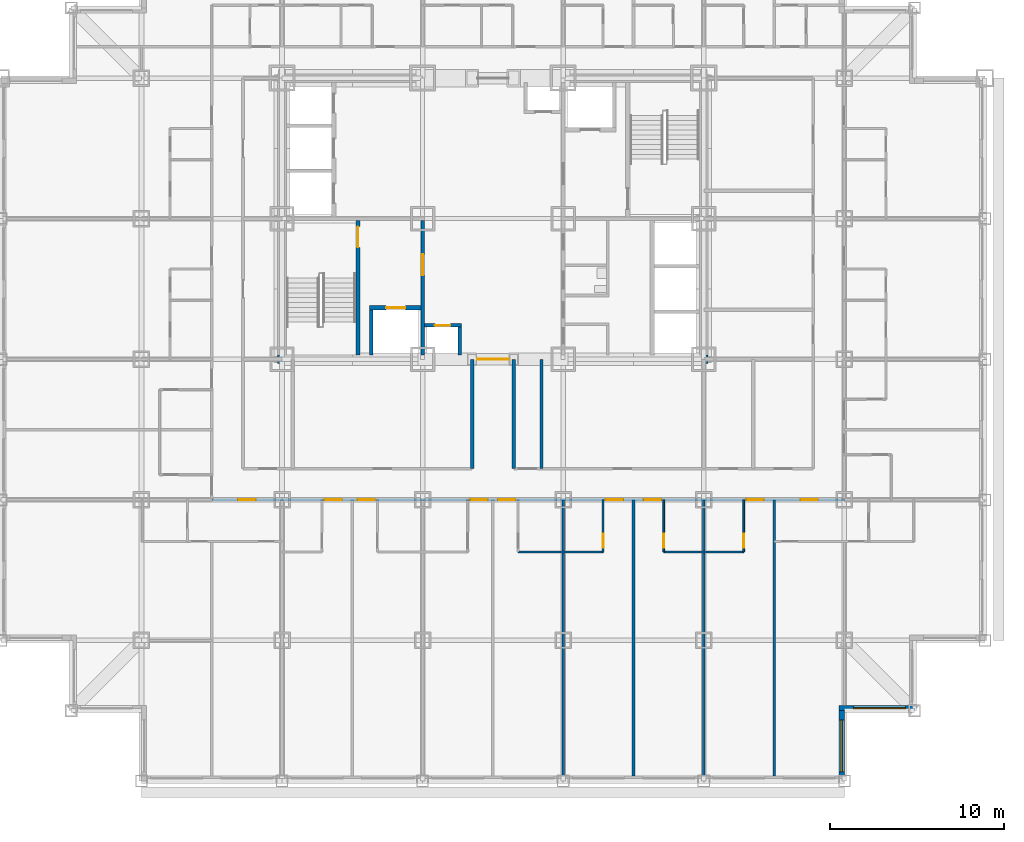
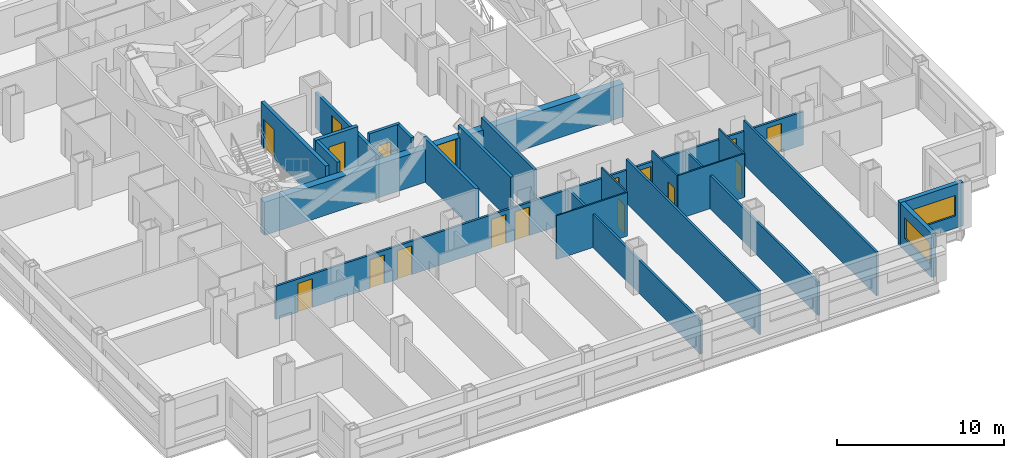
# One storey, part 5 of 12: 22 walls, 17 doors, 2 windows, 19 openings.
"""IFC4 building model written with IfcOpenShell, lengths in metres."""

import ifcopenshell
import ifcopenshell.guid

model = None  # the IFC model being written
_history = None  # IfcOwnerHistory: only IFC2X3 demands one
_inside = {}  # id of a spatial element -> (the spatial element, [elements in it])
_under = {}  # id of a project, library or spatial element -> (it, [spatial elements below it])
_declared = {}  # id of a project -> (the project, [libraries it declares])
_typed = {}  # id of a type object -> (the type object, [elements of that type])
_made_of = {}  # id of a material, layer set ... -> (it, [elements and type objects made of it])


def new_model(schema):
    """Start an empty IFC model of exactly this schema.

    Asked for "IFC4X3", IfcOpenShell would pick the latest addendum, in which some entities
    have other attributes; the version numbers below select the first issue.
    IFC2X3 requires an IfcOwnerHistory on every rooted entity: one is made here for all.
    """
    global model, _history
    if schema == "IFC4X3":
        model = ifcopenshell.file(schema_version=(4, 3, 0, 0))
    else:
        model = ifcopenshell.file(schema=schema)
    _inside.clear()
    _under.clear()
    _declared.clear()
    _typed.clear()
    _made_of.clear()
    _history = None
    if model.schema == "IFC2X3":
        org = make("IfcOrganization", Name="unknown")
        user = make(
            "IfcPersonAndOrganization",
            ThePerson=make("IfcPerson", FamilyName="unknown"),
            TheOrganization=org,
        )
        app = make(
            "IfcApplication",
            ApplicationDeveloper=org,
            Version="unknown",
            ApplicationFullName="unknown",
            ApplicationIdentifier="unknown",
        )
        _history = make(
            "IfcOwnerHistory",
            OwningUser=user,
            OwningApplication=app,
            ChangeAction="ADDED",
            CreationDate=0,
        )
    return model


def make(cls, **values):
    """One entity of the class cls with the attributes given. An attribute that is None is left unset."""
    return model.create_entity(
        cls, **{name: value for name, value in values.items() if value is not None}
    )


def rooted(cls, **values):
    """An entity with a GlobalId (a new one), such as an element, a storey or a relation."""
    return make(cls, GlobalId=ifcopenshell.guid.new(), OwnerHistory=_history, **values)


def si_unit(unit_type, name, prefix=None):
    """IfcSIUnit, for example si_unit("LENGTHUNIT", "METRE", prefix="MILLI")."""
    return make("IfcSIUnit", UnitType=unit_type, Prefix=prefix, Name=name)


def assignment(units):
    """IfcUnitAssignment: the units of a project."""
    return None if units is None else make("IfcUnitAssignment", Units=units)


def point(xyz):
    """IfcCartesianPoint."""
    return None if xyz is None else make("IfcCartesianPoint", Coordinates=xyz)


def direction(xyz):
    """IfcDirection."""
    return None if xyz is None else make("IfcDirection", DirectionRatios=xyz)


def frame(location, z_axis=None, x_axis=None):
    """IfcAxis2Placement3D, a coordinate frame: its origin and axes. An axis left out is left unset."""
    return make(
        "IfcAxis2Placement3D",
        Location=point(location),
        Axis=direction(z_axis),
        RefDirection=direction(x_axis),
    )


def frame_2d(location, x_axis=None):
    """IfcAxis2Placement2D, a coordinate frame in the plane: its origin and x axis."""
    return make(
        "IfcAxis2Placement2D", Location=point(location), RefDirection=direction(x_axis)
    )


def origin():
    """The frame at (0, 0, 0) with its axes left unset."""
    return frame((0.0, 0.0, 0.0))


def place(relative_to, where):
    """IfcLocalPlacement: puts the frame where relative to a parent placement (None: the world)."""
    return make(
        "IfcLocalPlacement", PlacementRelTo=relative_to, RelativePlacement=where
    )


def context(
    kind, dimensions, precision=None, world=None, true_north=None, identifier=None
):
    """IfcGeometricRepresentationContext, for example the 3D "Model" context."""
    return make(
        "IfcGeometricRepresentationContext",
        ContextIdentifier=identifier,
        ContextType=kind,
        CoordinateSpaceDimension=dimensions,
        Precision=precision,
        WorldCoordinateSystem=world,
        TrueNorth=true_north,
    )


def subcontext(parent, identifier, kind, view, scale=None):
    """IfcGeometricRepresentationSubContext, for example "Body" below "Model"."""
    return make(
        "IfcGeometricRepresentationSubContext",
        ContextIdentifier=identifier,
        ContextType=kind,
        ParentContext=parent,
        TargetScale=scale,
        TargetView=view,
    )


def project(units=None, contexts=None):
    """IfcProject with its units and contexts."""
    return rooted(
        "IfcProject",
        Name="project",
        RepresentationContexts=contexts,
        UnitsInContext=assignment(units),
    )


def spatial(cls, under=None, at=None, **own):
    """A site, building, storey or space (cls), placed at a placement, below another one or the project."""
    s = rooted(cls, ObjectPlacement=at, **own)
    if under is not None:
        _under.setdefault(under.id(), (under, []))[1].append(s)
    return s


def profile(cls, at=None, kind="AREA", **sizes):
    """A parametric profile (cls). Its sizes go by their IFC names, for example OverallWidth=200.0."""
    return make(cls, ProfileType=kind, Position=at, **sizes)


def rectangle(**sizes):
    """IfcRectangleProfileDef."""
    return profile("IfcRectangleProfileDef", **sizes)


def extrude(swept, where, along, depth):
    """IfcExtrudedAreaSolid: the profile swept, set in the frame where, extruded along a direction by depth."""
    return make(
        "IfcExtrudedAreaSolid",
        SweptArea=swept,
        Position=where,
        ExtrudedDirection=direction(along),
        Depth=depth,
    )


def shape(context_of_items, identifier, shape_type, items):
    """IfcShapeRepresentation: the items that make up one representation, for example the "Body"."""
    return make(
        "IfcShapeRepresentation",
        ContextOfItems=context_of_items,
        RepresentationIdentifier=identifier,
        RepresentationType=shape_type,
        Items=items,
    )


def material(Name=None, Category=None):
    """IfcMaterial."""
    return make("IfcMaterial", Name=Name, Category=Category)


def layer(
    of_material, thickness, ventilated=None, Name=None, Category=None, Priority=None
):
    """IfcMaterialLayer: one layer of a wall or slab, of a material (None: an air gap)."""
    return make(
        "IfcMaterialLayer",
        Material=of_material,
        LayerThickness=thickness,
        IsVentilated=ventilated,
        Name=Name,
        Category=Category,
        Priority=Priority,
    )


def layer_set(layers, Name=None):
    """IfcMaterialLayerSet."""
    return make("IfcMaterialLayerSet", MaterialLayers=layers, LayerSetName=Name)


def made_of(thing, what):
    """Note that an element or type object is made of a material, layer set ...; save() writes the relation."""
    if what is not None:
        _made_of.setdefault(what.id(), (what, []))[1].append(thing)
    return thing


def type_object(cls, material=None, **own):
    """A type object (cls), such as IfcWallType, which elements share."""
    return made_of(rooted(cls, **own), material)


def element(
    cls,
    number,
    at=None,
    inside=None,
    cuts=None,
    type_object=None,
    material=None,
    context=None,
    identifier="Body",
    shape_type=None,
    held_by="IfcProductDefinitionShape",
    body=None,
    shapes=None,
    **own,
):
    """One element of the class cls, such as IfcWall. Its Tag is "e" and its number.

    at: its placement. inside: the storey or other place that contains it. cuts: it is an
    opening in that element (IfcRelVoidsElement). A single representation is given by context,
    identifier, shape_type and body (its items); several are given by shapes. held_by: the class
    of the entity that holds the representations. save() writes the other relations.
    """
    e = rooted(cls, Tag="e%d" % number, ObjectPlacement=at, **own)
    if body is not None:
        shapes = [shape(context, identifier, shape_type, body)]
    if shapes is not None:
        e.Representation = make(held_by, Representations=shapes)
    if inside is not None:
        _inside.setdefault(inside.id(), (inside, []))[1].append(e)
    if cuts is not None:
        rooted(
            "IfcRelVoidsElement", RelatingBuildingElement=cuts, RelatedOpeningElement=e
        )
    if type_object is not None:
        _typed.setdefault(type_object.id(), (type_object, []))[1].append(e)
    return made_of(e, material)


def fill(opening, filler):
    """IfcRelFillsElement: the door or window that sits in an opening."""
    return rooted(
        "IfcRelFillsElement",
        RelatingOpeningElement=opening,
        RelatedBuildingElement=filler,
    )


def aggregate(whole, parts):
    """IfcRelAggregates: a whole, such as a stair, and the parts it consists of."""
    return rooted("IfcRelAggregates", RelatingObject=whole, RelatedObjects=parts)


def save(model, path):
    """Write the relations noted so far, then the file.

    IfcRelAggregates (storeys below a building ...), IfcRelContainedInSpatialStructure (elements
    in a storey), IfcRelDefinesByType, IfcRelAssociatesMaterial and IfcRelDeclares: one each for
    every whole, place, type object, material and project.
    """
    for whole, parts in _under.values():
        aggregate(whole, parts)
    for where, things in _inside.values():
        rooted(
            "IfcRelContainedInSpatialStructure",
            RelatedElements=things,
            RelatingStructure=where,
        )
    for kind, things in _typed.values():
        rooted("IfcRelDefinesByType", RelatedObjects=things, RelatingType=kind)
    for what, things in _made_of.values():
        rooted("IfcRelAssociatesMaterial", RelatedObjects=things, RelatingMaterial=what)
    for by, libraries in _declared.values():
        rooted("IfcRelDeclares", RelatingContext=by, RelatedDefinitions=libraries)
    model.write(path)


model = new_model("IFC4")

# Units and contexts
model_context = context("Model", 3, precision=1e-05, world=origin(), true_north=direction((0.0, 1.0)))
body_context = subcontext(model_context, "Body", "Model", "MODEL_VIEW")
ifc_project = project(units=[si_unit("LENGTHUNIT", "METRE"), si_unit("AREAUNIT", "SQUARE_METRE"), si_unit("VOLUMEUNIT", "CUBIC_METRE"), si_unit("PLANEANGLEUNIT", "RADIAN"), si_unit("MASSUNIT", "GRAM", prefix="KILO")], contexts=[model_context])

# Site, building, storey
site_placement = place(None, origin())
site = spatial("IfcSite", under=ifc_project, at=site_placement, CompositionType="ELEMENT")
building_placement = place(site_placement, origin())
building = spatial("IfcBuilding", under=site, at=building_placement, Name="Kopane Lantern Tower", CompositionType="ELEMENT")
storey_placement = place(building_placement, frame((0.0, 0.0, 80.60009765625)))
storey = spatial("IfcBuildingStorey", under=building, at=storey_placement, Name="L20", CompositionType="ELEMENT", Elevation=80.60009765625)

# Wall
ifc_material_1 = material(Name="Moisture-resistant board on steel studs", Category="steel")
ifc_layer_1 = layer(ifc_material_1, 0.10009765625)
ifc_layer_set_1 = layer_set([ifc_layer_1], Name="BATHROOM WALL 100")
wall_type_1 = type_object("IfcWallType", Name="BATHROOM WALL 100", PredefinedType="PARTITIONING", material=ifc_layer_set_1)
wall_1_placement = place(storey_placement, frame((29.800048828125, 13.199951171875, 0.0), z_axis=(0.0, 0.0, 1.0), x_axis=(1.0, 0.0, 0.0)))
element("IfcWall", 1, at=wall_1_placement, inside=storey, type_object=wall_type_1, Name="Bathroom Wall 100 L20", PredefinedType="PARTITIONING", context=body_context, shape_type="SweptSolid", body=[
    extrude(rectangle(XDim=4.89990234375, YDim=0.10009765625, at=frame_2d((2.449951171875, 0.0))), origin(), (0.0, 0.0, 1.0), 3.18994140625),
])

# Wall, opening, door
wall_2_placement = place(storey_placement, frame((34.699951171875, 16.199951171875, 0.0), z_axis=(0.0, 0.0, 1.0), x_axis=(0.0, -1.0, 0.0)))
wall_2 = element("IfcWall", 2, at=wall_2_placement, inside=storey, type_object=wall_type_1, Name="Bathroom Wall 100 L20", PredefinedType="PARTITIONING", context=body_context, shape_type="SweptSolid", body=[
    extrude(rectangle(XDim=3.0, YDim=0.10009765625, at=frame_2d((1.5, 0.0))), origin(), (0.0, 0.0, 1.0), 3.18994140625),
])
opening_1_placement = place(wall_2_placement, frame((1.949951171875, 0.0, 0.0)))
opening_1 = element("IfcOpeningElement", 3, at=opening_1_placement, cuts=wall_2, Name="Opening L20-021", PredefinedType="OPENING", context=body_context, shape_type="SweptSolid", body=[
    extrude(rectangle(XDim=0.800048828125, YDim=2.10009765625, at=frame_2d((0.39990234375, 1.050048828125))), frame((0.0, 0.06005859375, 0.0), z_axis=(0.0, -1.0, 0.0), x_axis=(1.0, 0.0, 0.0)), (0.0, 0.0, 1.0), 0.1201171875),
])
ifc_material_2 = material(Name="Timber door set", Category="wood")
door_type_1 = type_object("IfcDoorType", Name="DOOR D2 800x2100", OperationType="SINGLE_SWING_LEFT", PredefinedType="DOOR", material=ifc_material_2)
door_1_placement = place(opening_1_placement, origin())
door_1 = element("IfcDoor", 4, at=door_1_placement, inside=storey, type_object=door_type_1, Name="Door L20-021", OperationType="SINGLE_SWING_LEFT", OverallHeight=2.10009765625, OverallWidth=0.800048828125, PredefinedType="DOOR", context=body_context, shape_type="SweptSolid", body=[
    extrude(rectangle(XDim=0.800048828125, YDim=2.10009765625, at=frame_2d((0.39990234375, 1.050048828125))), frame((0.0, 0.02490234375, 0.0), z_axis=(0.0, -1.0, 0.0), x_axis=(1.0, 0.0, 0.0)), (0.0, 0.0, 1.0), 0.050048828125),
])
fill(opening_1, door_1)

# Wall
wall_3_placement = place(storey_placement, frame((38.199951171875, 13.199951171875, 0.0), z_axis=(0.0, 0.0, 1.0), x_axis=(1.0, 0.0, 0.0)))
element("IfcWall", 5, at=wall_3_placement, inside=storey, type_object=wall_type_1, Name="Bathroom Wall 100 L20", PredefinedType="PARTITIONING", context=body_context, shape_type="SweptSolid", body=[
    extrude(rectangle(XDim=4.60009765625, YDim=0.10009765625, at=frame_2d((2.300048828125, 0.0))), origin(), (0.0, 0.0, 1.0), 3.18994140625),
])

# Wall, opening, door
wall_4_placement = place(storey_placement, frame((38.199951171875, 16.199951171875, 0.0), z_axis=(0.0, 0.0, 1.0), x_axis=(0.0, -1.0, 0.0)))
wall_4 = element("IfcWall", 6, at=wall_4_placement, inside=storey, type_object=wall_type_1, Name="Bathroom Wall 100 L20", PredefinedType="PARTITIONING", context=body_context, shape_type="SweptSolid", body=[
    extrude(rectangle(XDim=3.0, YDim=0.10009765625, at=frame_2d((1.5, 0.0))), origin(), (0.0, 0.0, 1.0), 3.18994140625),
])
opening_2_placement = place(wall_4_placement, frame((1.949951171875, 0.0, 0.0)))
opening_2 = element("IfcOpeningElement", 7, at=opening_2_placement, cuts=wall_4, Name="Opening L20-023", PredefinedType="OPENING", context=body_context, shape_type="SweptSolid", body=[
    extrude(rectangle(XDim=0.800048828125, YDim=2.10009765625, at=frame_2d((0.39990234375, 1.050048828125))), frame((0.0, 0.06005859375, 0.0), z_axis=(0.0, -1.0, 0.0), x_axis=(1.0, 0.0, 0.0)), (0.0, 0.0, 1.0), 0.1201171875),
])
door_2_placement = place(opening_2_placement, origin())
door_2 = element("IfcDoor", 8, at=door_2_placement, inside=storey, type_object=door_type_1, Name="Door L20-023", OperationType="SINGLE_SWING_RIGHT", OverallHeight=2.10009765625, OverallWidth=0.800048828125, PredefinedType="DOOR", context=body_context, shape_type="SweptSolid", body=[
    extrude(rectangle(XDim=0.800048828125, YDim=2.10009765625, at=frame_2d((0.39990234375, 1.050048828125))), frame((0.0, 0.02490234375, 0.0), z_axis=(0.0, -1.0, 0.0), x_axis=(1.0, 0.0, 0.0)), (0.0, 0.0, 1.0), 0.050048828125),
])
fill(opening_2, door_2)

wall_5_placement = place(storey_placement, frame((42.800048828125, 16.199951171875, 0.0), z_axis=(0.0, 0.0, 1.0), x_axis=(0.0, -1.0, 0.0)))
wall_5 = element("IfcWall", 9, at=wall_5_placement, inside=storey, type_object=wall_type_1, Name="Bathroom Wall 100 L20", PredefinedType="PARTITIONING", context=body_context, shape_type="SweptSolid", body=[
    extrude(rectangle(XDim=3.0, YDim=0.10009765625, at=frame_2d((1.5, 0.0))), origin(), (0.0, 0.0, 1.0), 3.18994140625),
])
opening_3_placement = place(wall_5_placement, frame((1.949951171875, 0.0, 0.0)))
opening_3 = element("IfcOpeningElement", 10, at=opening_3_placement, cuts=wall_5, Name="Opening L20-025", PredefinedType="OPENING", context=body_context, shape_type="SweptSolid", body=[
    extrude(rectangle(XDim=0.800048828125, YDim=2.10009765625, at=frame_2d((0.39990234375, 1.050048828125))), frame((0.0, 0.06005859375, 0.0), z_axis=(0.0, -1.0, 0.0), x_axis=(1.0, 0.0, 0.0)), (0.0, 0.0, 1.0), 0.1201171875),
])
door_3_placement = place(opening_3_placement, origin())
door_3 = element("IfcDoor", 11, at=door_3_placement, inside=storey, type_object=door_type_1, Name="Door L20-025", OperationType="SINGLE_SWING_LEFT", OverallHeight=2.10009765625, OverallWidth=0.800048828125, PredefinedType="DOOR", context=body_context, shape_type="SweptSolid", body=[
    extrude(rectangle(XDim=0.800048828125, YDim=2.10009765625, at=frame_2d((0.39990234375, 1.050048828125))), frame((0.0, 0.02490234375, 0.0), z_axis=(0.0, -1.0, 0.0), x_axis=(1.0, 0.0, 0.0)), (0.0, 0.0, 1.0), 0.050048828125),
])
fill(opening_3, door_3)

ifc_material_3 = material(Name="Gypsum shaft wall EI 120", Category="gypsum")
ifc_layer_2 = layer(ifc_material_3, 0.5)
ifc_layer_set_2 = layer_set([ifc_layer_2], Name="CORE PERIMETER WALL 500 EI 120")
wall_type_2 = type_object("IfcWallType", Name="CORE PERIMETER WALL 500 EI 120", PredefinedType="SOLIDWALL", material=ifc_layer_set_2)
wall_6_placement = place(storey_placement, frame((15.949951171875, 24.300048828125, 0.0), z_axis=(0.0, 0.0, 1.0), x_axis=(1.0, 0.0, 0.0)))
wall_6 = element("IfcWall", 12, at=wall_6_placement, inside=storey, type_object=wall_type_2, Name="Core shaft wall L20 PS", PredefinedType="SOLIDWALL", context=body_context, shape_type="SweptSolid", body=[
    extrude(rectangle(XDim=24.800048828125, YDim=0.5, at=frame_2d((12.39990234375, 0.0))), origin(), (0.0, 0.0, 1.0), 2.427734375),
])
opening_4_placement = place(wall_6_placement, frame((11.5, 0.0, 0.0)))
opening_4 = element("IfcOpeningElement", 13, at=opening_4_placement, cuts=wall_6, Name="Opening 20.CE-S", PredefinedType="OPENING", context=body_context, shape_type="SweptSolid", body=[
    extrude(rectangle(XDim=1.800048828125, YDim=2.39990234375, at=frame_2d((0.89990234375, 1.199951171875))), frame((0.0, 0.260009765625, 0.0), z_axis=(0.0, -1.0, 0.0), x_axis=(1.0, 0.0, 0.0)), (0.0, 0.0, 1.0), 0.52001953125),
])
ifc_material_4 = material(Name="Steel door set", Category="steel")
door_type_2 = type_object("IfcDoorType", Name="CORE ENTRY DOOR 1800x2400 FD60S", OperationType="DOUBLE_DOOR_SINGLE_SWING", PredefinedType="DOOR", material=ifc_material_4)
door_4_placement = place(opening_4_placement, origin())
door_4 = element("IfcDoor", 14, at=door_4_placement, inside=storey, type_object=door_type_2, Name="Core entry door L20 south", OperationType="DOUBLE_DOOR_SINGLE_SWING", OverallHeight=2.39990234375, OverallWidth=1.800048828125, PredefinedType="DOOR", context=body_context, shape_type="SweptSolid", body=[
    extrude(rectangle(XDim=1.800048828125, YDim=2.39990234375, at=frame_2d((0.89990234375, 1.199951171875))), frame((0.0, 0.02490234375, 0.0), z_axis=(0.0, -1.0, 0.0), x_axis=(1.0, 0.0, 0.0)), (0.0, 0.0, 1.0), 0.050048828125),
])
fill(opening_4, door_4)

ifc_material_5 = material(Name="Gypsum shaft wall EI 120", Category="gypsum")
ifc_layer_3 = layer(ifc_material_5, 0.25)
ifc_layer_set_3 = layer_set([ifc_layer_3], Name="CORE SHAFT WALL 250 EI 120")
wall_type_3 = type_object("IfcWallType", Name="CORE SHAFT WALL 250 EI 120", PredefinedType="SOLIDWALL", material=ifc_layer_set_3)
wall_7_placement = place(storey_placement, frame((20.574951171875, 24.550048828125, 0.0), z_axis=(0.0, 0.0, 1.0), x_axis=(0.0, 1.0, 0.0)))
wall_7 = element("IfcWall", 15, at=wall_7_placement, inside=storey, type_object=wall_type_3, Name="Core shaft wall L20 XST1", PredefinedType="SOLIDWALL", context=body_context, shape_type="SweptSolid", body=[
    extrude(rectangle(XDim=7.75, YDim=0.25, at=frame_2d((3.875, 0.0))), origin(), (0.0, 0.0, 1.0), 3.18994140625),
])
opening_5_placement = place(wall_7_placement, frame((6.199951171875, 0.0, 0.0)))
opening_5 = element("IfcOpeningElement", 16, at=opening_5_placement, cuts=wall_7, Name="Opening 20.SD1", PredefinedType="OPENING", context=body_context, shape_type="SweptSolid", body=[
    extrude(rectangle(XDim=1.199951171875, YDim=2.10009765625, at=frame_2d((0.60009765625, 1.050048828125))), frame((0.0, 0.135009765625, 0.0), z_axis=(0.0, -1.0, 0.0), x_axis=(1.0, 0.0, 0.0)), (0.0, 0.0, 1.0), 0.27001953125),
])
ifc_material_6 = material(Name="Steel door set", Category="steel")
door_type_3 = type_object("IfcDoorType", Name="STAIR DOOR 1200x2100 FD60S", OperationType="SINGLE_SWING_LEFT", PredefinedType="DOOR", material=ifc_material_6)
door_5_placement = place(opening_5_placement, origin())
door_5 = element("IfcDoor", 17, at=door_5_placement, inside=storey, type_object=door_type_3, Name="Stair door ST1 L20", OperationType="SINGLE_SWING_LEFT", OverallHeight=2.10009765625, OverallWidth=1.199951171875, PredefinedType="DOOR", context=body_context, shape_type="SweptSolid", body=[
    extrude(rectangle(XDim=1.199951171875, YDim=2.10009765625, at=frame_2d((0.60009765625, 1.050048828125))), frame((0.0, 0.02490234375, 0.0), z_axis=(0.0, -1.0, 0.0), x_axis=(1.0, 0.0, 0.0)), (0.0, 0.0, 1.0), 0.050048828125),
])
fill(opening_5, door_5)

wall_8_placement = place(storey_placement, frame((21.25, 27.27490234375, 0.0), z_axis=(0.0, 0.0, 1.0), x_axis=(1.0, 0.0, 0.0)))
wall_8 = element("IfcWall", 18, at=wall_8_placement, inside=storey, type_object=wall_type_3, Name="Core shaft wall L20 YLF1", PredefinedType="SOLIDWALL", context=body_context, shape_type="SweptSolid", body=[
    extrude(rectangle(XDim=2.949951171875, YDim=0.25, at=frame_2d((1.47509765625, 0.0))), origin(), (0.0, 0.0, 1.0), 3.18994140625),
])
opening_6_placement = place(wall_8_placement, frame((0.949951171875, 0.0, 0.0)))
opening_6 = element("IfcOpeningElement", 19, at=opening_6_placement, cuts=wall_8, Name="Opening 20.LD-LF1", PredefinedType="OPENING", context=body_context, shape_type="SweptSolid", body=[
    extrude(rectangle(XDim=1.10009765625, YDim=2.39990234375, at=frame_2d((0.550048828125, 1.199951171875))), frame((0.0, 0.135009765625, 0.0), z_axis=(0.0, -1.0, 0.0), x_axis=(1.0, 0.0, 0.0)), (0.0, 0.0, 1.0), 0.27001953125),
])
ifc_material_7 = material(Name="Steel door set", Category="steel")
door_type_4 = type_object("IfcDoorType", Name="LIFT LANDING DOOR 1100x2400 FD60", OperationType="DOUBLE_DOOR_SLIDING", PredefinedType="DOOR", material=ifc_material_7)
door_6_placement = place(opening_6_placement, origin())
door_6 = element("IfcDoor", 20, at=door_6_placement, inside=storey, type_object=door_type_4, Name="Landing door LF1 L20", OperationType="DOUBLE_DOOR_SLIDING", OverallHeight=2.39990234375, OverallWidth=1.10009765625, PredefinedType="DOOR", context=body_context, shape_type="SweptSolid", body=[
    extrude(rectangle(XDim=1.10009765625, YDim=2.39990234375, at=frame_2d((0.550048828125, 1.199951171875))), frame((0.0, 0.02490234375, 0.0), z_axis=(0.0, -1.0, 0.0), x_axis=(1.0, 0.0, 0.0)), (0.0, 0.0, 1.0), 0.050048828125),
])
fill(opening_6, door_6)

# Wall, openings, doors
ifc_material_8 = material(Name="Gypsum board on steel studs", Category="steel")
ifc_layer_4 = layer(ifc_material_8, 0.14990234375)
ifc_layer_set_4 = layer_set([ifc_layer_4], Name="CORRIDOR WALL 150 EI 60")
wall_type_4 = type_object("IfcWallType", Name="CORRIDOR WALL 150 EI 60", PredefinedType="PARTITIONING", material=ifc_layer_set_4)
wall_9_placement = place(storey_placement, frame((12.14990234375, 16.199951171875, 0.0), z_axis=(0.0, 0.0, 1.0), x_axis=(1.0, 0.0, 0.0)))
wall_9 = element("IfcWall", 21, at=wall_9_placement, inside=storey, type_object=wall_type_4, Name="Corridor Wall 150 Ei 60 L20", PredefinedType="PARTITIONING", context=body_context, shape_type="SweptSolid", body=[
    extrude(rectangle(XDim=36.4501953125, YDim=0.14990234375, at=frame_2d((18.22509765625, 0.0))), origin(), (0.0, 0.0, 1.0), 2.427734375),
])
opening_7_placement = place(wall_9_placement, frame((6.5, 0.0, 0.0)))
opening_7 = element("IfcOpeningElement", 22, at=opening_7_placement, cuts=wall_9, Name="Opening L20-014", PredefinedType="OPENING", context=body_context, shape_type="SweptSolid", body=[
    extrude(rectangle(XDim=1.0, YDim=2.10009765625, at=frame_2d((0.5, 1.050048828125))), frame((0.0, 0.0849609375, 0.0), z_axis=(0.0, -1.0, 0.0), x_axis=(1.0, 0.0, 0.0)), (0.0, 0.0, 1.0), 0.169921875),
])
opening_8_placement = place(wall_9_placement, frame((8.39990234375, 0.0, 0.0)))
opening_8 = element("IfcOpeningElement", 23, at=opening_8_placement, cuts=wall_9, Name="Opening L20-016", PredefinedType="OPENING", context=body_context, shape_type="SweptSolid", body=[
    extrude(rectangle(XDim=1.0, YDim=2.10009765625, at=frame_2d((0.5, 1.050048828125))), frame((0.0, 0.0849609375, 0.0), z_axis=(0.0, -1.0, 0.0), x_axis=(1.0, 0.0, 0.0)), (0.0, 0.0, 1.0), 0.169921875),
])
opening_9_placement = place(wall_9_placement, frame((14.89990234375, 0.0, 0.0)))
opening_9 = element("IfcOpeningElement", 24, at=opening_9_placement, cuts=wall_9, Name="Opening L20-018", PredefinedType="OPENING", context=body_context, shape_type="SweptSolid", body=[
    extrude(rectangle(XDim=1.0, YDim=2.10009765625, at=frame_2d((0.5, 1.050048828125))), frame((0.0, 0.0849609375, 0.0), z_axis=(0.0, -1.0, 0.0), x_axis=(1.0, 0.0, 0.0)), (0.0, 0.0, 1.0), 0.169921875),
])
opening_10_placement = place(wall_9_placement, frame((16.5, 0.0, 0.0)))
opening_10 = element("IfcOpeningElement", 25, at=opening_10_placement, cuts=wall_9, Name="Opening L20-020", PredefinedType="OPENING", context=body_context, shape_type="SweptSolid", body=[
    extrude(rectangle(XDim=1.0, YDim=2.10009765625, at=frame_2d((0.5, 1.050048828125))), frame((0.0, 0.0849609375, 0.0), z_axis=(0.0, -1.0, 0.0), x_axis=(1.0, 0.0, 0.0)), (0.0, 0.0, 1.0), 0.169921875),
])
opening_11_placement = place(wall_9_placement, frame((22.699951171875, 0.0, 0.0)))
opening_11 = element("IfcOpeningElement", 26, at=opening_11_placement, cuts=wall_9, Name="Opening L20-022", PredefinedType="OPENING", context=body_context, shape_type="SweptSolid", body=[
    extrude(rectangle(XDim=1.0, YDim=2.10009765625, at=frame_2d((0.5, 1.050048828125))), frame((0.0, 0.0849609375, 0.0), z_axis=(0.0, -1.0, 0.0), x_axis=(1.0, 0.0, 0.0)), (0.0, 0.0, 1.0), 0.169921875),
])
opening_12_placement = place(wall_9_placement, frame((24.89990234375, 0.0, 0.0)))
opening_12 = element("IfcOpeningElement", 27, at=opening_12_placement, cuts=wall_9, Name="Opening L20-024", PredefinedType="OPENING", context=body_context, shape_type="SweptSolid", body=[
    extrude(rectangle(XDim=1.0, YDim=2.10009765625, at=frame_2d((0.5, 1.050048828125))), frame((0.0, 0.0849609375, 0.0), z_axis=(0.0, -1.0, 0.0), x_axis=(1.0, 0.0, 0.0)), (0.0, 0.0, 1.0), 0.169921875),
])
opening_13_placement = place(wall_9_placement, frame((30.800048828125, 0.0, 0.0)))
opening_13 = element("IfcOpeningElement", 28, at=opening_13_placement, cuts=wall_9, Name="Opening L20-026", PredefinedType="OPENING", context=body_context, shape_type="SweptSolid", body=[
    extrude(rectangle(XDim=1.0, YDim=2.10009765625, at=frame_2d((0.5, 1.050048828125))), frame((0.0, 0.0849609375, 0.0), z_axis=(0.0, -1.0, 0.0), x_axis=(1.0, 0.0, 0.0)), (0.0, 0.0, 1.0), 0.169921875),
])
opening_14_placement = place(wall_9_placement, frame((1.52490234375, 0.0, 0.0)))
opening_14 = element("IfcOpeningElement", 29, at=opening_14_placement, cuts=wall_9, Name="Opening L20-059", PredefinedType="OPENING", context=body_context, shape_type="SweptSolid", body=[
    extrude(rectangle(XDim=1.0, YDim=2.10009765625, at=frame_2d((0.5, 1.050048828125))), frame((0.0, 0.0849609375, 0.0), z_axis=(0.0, -1.0, 0.0), x_axis=(1.0, 0.0, 0.0)), (0.0, 0.0, 1.0), 0.169921875),
])
opening_15_placement = place(wall_9_placement, frame((33.925048828125, 0.0, 0.0)))
opening_15 = element("IfcOpeningElement", 30, at=opening_15_placement, cuts=wall_9, Name="Opening L20-063", PredefinedType="OPENING", context=body_context, shape_type="SweptSolid", body=[
    extrude(rectangle(XDim=1.0, YDim=2.10009765625, at=frame_2d((0.5, 1.050048828125))), frame((0.0, 0.0849609375, 0.0), z_axis=(0.0, -1.0, 0.0), x_axis=(1.0, 0.0, 0.0)), (0.0, 0.0, 1.0), 0.169921875),
])
ifc_material_9 = material(Name="Steel door set", Category="steel")
door_type_5 = type_object("IfcDoorType", Name="DOOR D1 1000x2100 FD30S", OperationType="SINGLE_SWING_LEFT", PredefinedType="DOOR", material=ifc_material_9)
door_7_placement = place(opening_7_placement, origin())
door_7 = element("IfcDoor", 31, at=door_7_placement, inside=storey, type_object=door_type_5, Name="Door L20-014", OperationType="SINGLE_SWING_RIGHT", OverallHeight=2.10009765625, OverallWidth=1.0, PredefinedType="DOOR", context=body_context, shape_type="SweptSolid", body=[
    extrude(rectangle(XDim=1.0, YDim=2.10009765625, at=frame_2d((0.5, 1.050048828125))), frame((0.0, 0.02490234375, 0.0), z_axis=(0.0, -1.0, 0.0), x_axis=(1.0, 0.0, 0.0)), (0.0, 0.0, 1.0), 0.050048828125),
])
fill(opening_7, door_7)
door_8_placement = place(opening_8_placement, origin())
door_8 = element("IfcDoor", 32, at=door_8_placement, inside=storey, type_object=door_type_5, Name="Door L20-016", OperationType="SINGLE_SWING_LEFT", OverallHeight=2.10009765625, OverallWidth=1.0, PredefinedType="DOOR", context=body_context, shape_type="SweptSolid", body=[
    extrude(rectangle(XDim=1.0, YDim=2.10009765625, at=frame_2d((0.5, 1.050048828125))), frame((0.0, 0.02490234375, 0.0), z_axis=(0.0, -1.0, 0.0), x_axis=(1.0, 0.0, 0.0)), (0.0, 0.0, 1.0), 0.050048828125),
])
fill(opening_8, door_8)
door_9_placement = place(opening_9_placement, origin())
door_9 = element("IfcDoor", 33, at=door_9_placement, inside=storey, type_object=door_type_5, Name="Door L20-018", OperationType="SINGLE_SWING_RIGHT", OverallHeight=2.10009765625, OverallWidth=1.0, PredefinedType="DOOR", context=body_context, shape_type="SweptSolid", body=[
    extrude(rectangle(XDim=1.0, YDim=2.10009765625, at=frame_2d((0.5, 1.050048828125))), frame((0.0, 0.02490234375, 0.0), z_axis=(0.0, -1.0, 0.0), x_axis=(1.0, 0.0, 0.0)), (0.0, 0.0, 1.0), 0.050048828125),
])
fill(opening_9, door_9)
door_10_placement = place(opening_10_placement, origin())
door_10 = element("IfcDoor", 34, at=door_10_placement, inside=storey, type_object=door_type_5, Name="Door L20-020", OperationType="SINGLE_SWING_LEFT", OverallHeight=2.10009765625, OverallWidth=1.0, PredefinedType="DOOR", context=body_context, shape_type="SweptSolid", body=[
    extrude(rectangle(XDim=1.0, YDim=2.10009765625, at=frame_2d((0.5, 1.050048828125))), frame((0.0, 0.02490234375, 0.0), z_axis=(0.0, -1.0, 0.0), x_axis=(1.0, 0.0, 0.0)), (0.0, 0.0, 1.0), 0.050048828125),
])
fill(opening_10, door_10)
door_11_placement = place(opening_11_placement, origin())
door_11 = element("IfcDoor", 35, at=door_11_placement, inside=storey, type_object=door_type_5, Name="Door L20-022", OperationType="SINGLE_SWING_RIGHT", OverallHeight=2.10009765625, OverallWidth=1.0, PredefinedType="DOOR", context=body_context, shape_type="SweptSolid", body=[
    extrude(rectangle(XDim=1.0, YDim=2.10009765625, at=frame_2d((0.5, 1.050048828125))), frame((0.0, 0.02490234375, 0.0), z_axis=(0.0, -1.0, 0.0), x_axis=(1.0, 0.0, 0.0)), (0.0, 0.0, 1.0), 0.050048828125),
])
fill(opening_11, door_11)
door_12_placement = place(opening_12_placement, origin())
door_12 = element("IfcDoor", 36, at=door_12_placement, inside=storey, type_object=door_type_5, Name="Door L20-024", OperationType="SINGLE_SWING_LEFT", OverallHeight=2.10009765625, OverallWidth=1.0, PredefinedType="DOOR", context=body_context, shape_type="SweptSolid", body=[
    extrude(rectangle(XDim=1.0, YDim=2.10009765625, at=frame_2d((0.5, 1.050048828125))), frame((0.0, 0.02490234375, 0.0), z_axis=(0.0, -1.0, 0.0), x_axis=(1.0, 0.0, 0.0)), (0.0, 0.0, 1.0), 0.050048828125),
])
fill(opening_12, door_12)
door_13_placement = place(opening_13_placement, origin())
door_13 = element("IfcDoor", 37, at=door_13_placement, inside=storey, type_object=door_type_5, Name="Door L20-026", OperationType="SINGLE_SWING_RIGHT", OverallHeight=2.10009765625, OverallWidth=1.0, PredefinedType="DOOR", context=body_context, shape_type="SweptSolid", body=[
    extrude(rectangle(XDim=1.0, YDim=2.10009765625, at=frame_2d((0.5, 1.050048828125))), frame((0.0, 0.02490234375, 0.0), z_axis=(0.0, -1.0, 0.0), x_axis=(1.0, 0.0, 0.0)), (0.0, 0.0, 1.0), 0.050048828125),
])
fill(opening_13, door_13)
door_14_placement = place(opening_14_placement, origin())
door_14 = element("IfcDoor", 38, at=door_14_placement, inside=storey, type_object=door_type_5, Name="Door L20-059", OperationType="SINGLE_SWING_LEFT", OverallHeight=2.10009765625, OverallWidth=1.0, PredefinedType="DOOR", context=body_context, shape_type="SweptSolid", body=[
    extrude(rectangle(XDim=1.0, YDim=2.10009765625, at=frame_2d((0.5, 1.050048828125))), frame((0.0, 0.02490234375, 0.0), z_axis=(0.0, -1.0, 0.0), x_axis=(1.0, 0.0, 0.0)), (0.0, 0.0, 1.0), 0.050048828125),
])
fill(opening_14, door_14)
door_15_placement = place(opening_15_placement, origin())
door_15 = element("IfcDoor", 39, at=door_15_placement, inside=storey, type_object=door_type_5, Name="Door L20-063", OperationType="SINGLE_SWING_RIGHT", OverallHeight=2.10009765625, OverallWidth=1.0, PredefinedType="DOOR", context=body_context, shape_type="SweptSolid", body=[
    extrude(rectangle(XDim=1.0, YDim=2.10009765625, at=frame_2d((0.5, 1.050048828125))), frame((0.0, 0.02490234375, 0.0), z_axis=(0.0, -1.0, 0.0), x_axis=(1.0, 0.0, 0.0)), (0.0, 0.0, 1.0), 0.050048828125),
])
fill(opening_15, door_15)

# Walls
ifc_material_10 = material(Name="Gypsum board on steel studs", Category="steel")
ifc_layer_5 = layer(ifc_material_10, 0.14990234375)
ifc_layer_set_5 = layer_set([ifc_layer_5], Name="DEMISING WALL 150 EI 60")
wall_type_5 = type_object("IfcWallType", Name="DEMISING WALL 150 EI 60", PredefinedType="PARTITIONING", material=ifc_layer_set_5)
wall_10_placement = place(storey_placement, frame((32.39990234375, 16.199951171875, 0.0), z_axis=(0.0, 0.0, 1.0), x_axis=(0.0, -1.0, 0.0)))
element("IfcWall", 40, at=wall_10_placement, inside=storey, type_object=wall_type_5, Name="Demising Wall 150 Ei 60 L20", PredefinedType="PARTITIONING", context=body_context, shape_type="SweptSolid", body=[
    extrude(rectangle(XDim=15.89990234375, YDim=0.14990234375, at=frame_2d((7.949951171875, 0.0))), origin(), (0.0, 0.0, 1.0), 2.427734375),
])
wall_11_placement = place(storey_placement, frame((36.449951171875, 16.199951171875, 0.0), z_axis=(0.0, 0.0, 1.0), x_axis=(0.0, -1.0, 0.0)))
element("IfcWall", 41, at=wall_11_placement, inside=storey, type_object=wall_type_5, Name="Demising Wall 150 Ei 60 L20", PredefinedType="PARTITIONING", context=body_context, shape_type="SweptSolid", body=[
    extrude(rectangle(XDim=15.89990234375, YDim=0.14990234375, at=frame_2d((7.949951171875, 0.0))), origin(), (0.0, 0.0, 1.0), 3.18994140625),
])
wall_12_placement = place(storey_placement, frame((40.5, 16.199951171875, 0.0), z_axis=(0.0, 0.0, 1.0), x_axis=(0.0, -1.0, 0.0)))
element("IfcWall", 42, at=wall_12_placement, inside=storey, type_object=wall_type_5, Name="Demising Wall 150 Ei 60 L20", PredefinedType="PARTITIONING", context=body_context, shape_type="SweptSolid", body=[
    extrude(rectangle(XDim=15.89990234375, YDim=0.14990234375, at=frame_2d((7.949951171875, 0.0))), origin(), (0.0, 0.0, 1.0), 2.427734375),
])
wall_13_placement = place(storey_placement, frame((44.550048828125, 16.199951171875, 0.0), z_axis=(0.0, 0.0, 1.0), x_axis=(0.0, -1.0, 0.0)))
element("IfcWall", 43, at=wall_13_placement, inside=storey, type_object=wall_type_5, Name="Demising Wall 150 Ei 60 L20", PredefinedType="PARTITIONING", context=body_context, shape_type="SweptSolid", body=[
    extrude(rectangle(XDim=15.89990234375, YDim=0.14990234375, at=frame_2d((7.949951171875, 0.0))), origin(), (0.0, 0.0, 1.0), 3.18994140625),
])

# Wall, opening, window
ifc_material_11 = material(Name="Terracotta rainscreen on light steel framing", Category="masonry")
ifc_layer_6 = layer(ifc_material_11, 0.300048828125)
ifc_layer_set_6 = layer_set([ifc_layer_6], Name="EXTERNAL WALL EW1 300 TERRACOTTA")
wall_type_6 = type_object("IfcWallType", Name="EXTERNAL WALL EW1 300 TERRACOTTA", PredefinedType="SOLIDWALL", material=ifc_layer_set_6)
wall_14_placement = place(storey_placement, frame((48.449951171875, 0.300048828125, 0.0), z_axis=(0.0, 0.0, 1.0), x_axis=(0.0, 1.0, 0.0)))
wall_14 = element("IfcWall", 44, at=wall_14_placement, inside=storey, type_object=wall_type_6, Name="External wall E L20", PredefinedType="SOLIDWALL", context=body_context, shape_type="SweptSolid", body=[
    extrude(rectangle(XDim=3.75, YDim=0.300048828125, at=frame_2d((1.875, 0.0))), origin(), (0.0, 0.0, 1.0), 3.18994140625),
])
opening_16_placement = place(wall_14_placement, frame((0.22509765625, 0.0, 0.89990234375)))
opening_16 = element("IfcOpeningElement", 45, at=opening_16_placement, cuts=wall_14, Name="Opening WR300150", PredefinedType="OPENING", context=body_context, shape_type="SweptSolid", body=[
    extrude(rectangle(XDim=3.0, YDim=1.5, at=frame_2d((1.5, 0.75))), frame((0.0, 0.159912109375, 0.0), z_axis=(0.0, -1.0, 0.0), x_axis=(1.0, 0.0, 0.0)), (0.0, 0.0, 1.0), 0.320068359375),
])
ifc_material_12 = material(Name="Aluminium and clear glass", Category="aluminium")
window_type = type_object("IfcWindowType", Name="RIBBON WINDOW WR300150 3000x1500", PartitioningType="SINGLE_PANEL", PredefinedType="WINDOW", material=ifc_material_12)
window_1_placement = place(opening_16_placement, origin())
window_1 = element("IfcWindow", 46, at=window_1_placement, inside=storey, type_object=window_type, Name="Window E L20", OverallHeight=1.5, OverallWidth=3.0, PartitioningType="SINGLE_PANEL", PredefinedType="WINDOW", context=body_context, shape_type="SweptSolid", body=[
    extrude(rectangle(XDim=3.0, YDim=1.5, at=frame_2d((1.5, 0.75))), frame((0.0, 0.030029296875, 0.0), z_axis=(0.0, -1.0, 0.0), x_axis=(1.0, 0.0, 0.0)), (0.0, 0.0, 1.0), 0.06005859375),
])
fill(opening_16, window_1)

wall_15_placement = place(storey_placement, frame((48.300048828125, 4.199951171875, 0.0), z_axis=(0.0, 0.0, 1.0), x_axis=(1.0, 0.0, 0.0)))
wall_15 = element("IfcWall", 47, at=wall_15_placement, inside=storey, type_object=wall_type_6, Name="External wall S L20", PredefinedType="SOLIDWALL", context=body_context, shape_type="SweptSolid", body=[
    extrude(rectangle(XDim=4.349853515625, YDim=0.300048828125, at=frame_2d((2.1748046875, 0.0))), origin(), (0.0, 0.0, 1.0), 3.18994140625),
])
opening_17_placement = place(wall_15_placement, frame((0.824951171875, 0.0, 0.89990234375)))
opening_17 = element("IfcOpeningElement", 48, at=opening_17_placement, cuts=wall_15, Name="Opening WR300150", PredefinedType="OPENING", context=body_context, shape_type="SweptSolid", body=[
    extrude(rectangle(XDim=3.0, YDim=1.5, at=frame_2d((1.5, 0.75))), frame((0.0, 0.159912109375, 0.0), z_axis=(0.0, -1.0, 0.0), x_axis=(1.0, 0.0, 0.0)), (0.0, 0.0, 1.0), 0.320068359375),
])
window_2_placement = place(opening_17_placement, origin())
window_2 = element("IfcWindow", 49, at=window_2_placement, inside=storey, type_object=window_type, Name="Window S L20", OverallHeight=1.5, OverallWidth=3.0, PartitioningType="SINGLE_PANEL", PredefinedType="WINDOW", context=body_context, shape_type="SweptSolid", body=[
    extrude(rectangle(XDim=3.0, YDim=1.5, at=frame_2d((1.5, 0.75))), frame((0.0, 0.030029296875, 0.0), z_axis=(0.0, -1.0, 0.0), x_axis=(1.0, 0.0, 0.0)), (0.0, 0.0, 1.0), 0.06005859375),
])
fill(opening_17, window_2)

# Walls
ifc_material_13 = material(Name="Concrete masonry", Category="masonry")
ifc_layer_7 = layer(ifc_material_13, 0.199951171875)
ifc_layer_set_7 = layer_set([ifc_layer_7], Name="PLANT ROOM WALL 200 EI 120")
wall_type_7 = type_object("IfcWallType", Name="PLANT ROOM WALL 200 EI 120", PredefinedType="SOLIDWALL", material=ifc_layer_set_7)
for number, where, z_axis, x_axis, name in (
    (50, (31.14990234375, 18.0, 0.0), (0.0, 0.0, 1.0), (0.0, 1.0, 0.0), "Plant Room Wall 200 Ei 120 L20"),
    (51, (27.14990234375, 18.0, 0.0), (0.0, 0.0, 1.0), (0.0, 1.0, 0.0), "Plant Room Wall 200 Ei 120 L20"),
    (52, (29.550048828125, 18.0, 0.0), (0.0, 0.0, 1.0), (0.0, 1.0, 0.0), "Plant Room Wall 200 Ei 120 L20"),
):
    element("IfcWall", number, at=place(storey_placement, frame(where, z_axis=z_axis, x_axis=x_axis)), inside=storey, type_object=wall_type_7, Name=name, PredefinedType="SOLIDWALL", context=body_context, shape_type="SweptSolid", body=[
        extrude(rectangle(XDim=6.300048828125, YDim=0.199951171875, at=frame_2d((3.14990234375, 0.0))), origin(), (0.0, 0.0, 1.0), 3.18994140625),
    ])

# Wall, opening, door
ifc_material_14 = material(Name="Gypsum shaft wall EI 120", Category="gypsum")
ifc_layer_8 = layer(ifc_material_14, 0.199951171875)
ifc_layer_set_8 = layer_set([ifc_layer_8], Name="SHAFT WALL 200 EI 120")
wall_type_8 = type_object("IfcWallType", Name="SHAFT WALL 200 EI 120", PredefinedType="SOLIDWALL", material=ifc_layer_set_8)
wall_16_placement = place(storey_placement, frame((24.300048828125, 24.550048828125, 0.0), z_axis=(0.0, 0.0, 1.0), x_axis=(0.0, 1.0, 0.0)))
wall_16 = element("IfcWall", 53, at=wall_16_placement, inside=storey, type_object=wall_type_8, Name="Core shaft wall L20 X243", PredefinedType="SOLIDWALL", context=body_context, shape_type="SweptSolid", body=[
    extrude(rectangle(XDim=7.75, YDim=0.199951171875, at=frame_2d((3.875, 0.0))), origin(), (0.0, 0.0, 1.0), 2.57763671875),
])
opening_18_placement = place(wall_16_placement, frame((4.60009765625, 0.0, 0.0)))
opening_18 = element("IfcOpeningElement", 54, at=opening_18_placement, cuts=wall_16, Name="Opening 20.FL1", PredefinedType="OPENING", context=body_context, shape_type="SweptSolid", body=[
    extrude(rectangle(XDim=1.199951171875, YDim=2.10009765625, at=frame_2d((0.60009765625, 1.050048828125))), frame((0.0, 0.10986328125, 0.0), z_axis=(0.0, -1.0, 0.0), x_axis=(1.0, 0.0, 0.0)), (0.0, 0.0, 1.0), 0.219970703125),
])
ifc_material_15 = material(Name="Steel door set", Category="steel")
door_type_6 = type_object("IfcDoorType", Name="FIREFIGHTING LOBBY DOOR 1200x2100 FD60S", OperationType="SINGLE_SWING_RIGHT", PredefinedType="DOOR", material=ifc_material_15)
door_16_placement = place(opening_18_placement, origin())
door_16 = element("IfcDoor", 55, at=door_16_placement, inside=storey, type_object=door_type_6, Name="Firefighting lobby door FL1 L20", OperationType="SINGLE_SWING_LEFT", OverallHeight=2.10009765625, OverallWidth=1.199951171875, PredefinedType="DOOR", context=body_context, shape_type="SweptSolid", body=[
    extrude(rectangle(XDim=1.199951171875, YDim=2.10009765625, at=frame_2d((0.60009765625, 1.050048828125))), frame((0.0, 0.02490234375, 0.0), z_axis=(0.0, -1.0, 0.0), x_axis=(1.0, 0.0, 0.0)), (0.0, 0.0, 1.0), 0.050048828125),
])
fill(opening_18, door_16)

# Walls
wall_17_placement = place(storey_placement, frame((21.35009765625, 24.550048828125, 0.0), z_axis=(0.0, 0.0, 1.0), x_axis=(0.0, 1.0, 0.0)))
element("IfcWall", 56, at=wall_17_placement, inside=storey, type_object=wall_type_8, Name="Core shaft wall L20 XLF1", PredefinedType="SOLIDWALL", context=body_context, shape_type="SweptSolid", body=[
    extrude(rectangle(XDim=2.599853515625, YDim=0.199951171875, at=frame_2d((1.2998046875, 0.0))), origin(), (0.0, 0.0, 1.0), 3.18994140625),
])
wall_18_placement = place(storey_placement, frame((26.449951171875, 24.550048828125, 0.0), z_axis=(0.0, 0.0, 1.0), x_axis=(0.0, 1.0, 0.0)))
element("IfcWall", 57, at=wall_18_placement, inside=storey, type_object=wall_type_8, Name="Core shaft wall L20 XRS1", PredefinedType="SOLIDWALL", context=body_context, shape_type="SweptSolid", body=[
    extrude(rectangle(XDim=1.599853515625, YDim=0.199951171875, at=frame_2d((0.7998046875, 0.0))), origin(), (0.0, 0.0, 1.0), 3.18994140625),
])

# Wall, opening, door
wall_19_placement = place(storey_placement, frame((24.39990234375, 26.25, 0.0), z_axis=(0.0, 0.0, 1.0), x_axis=(1.0, 0.0, 0.0)))
wall_19 = element("IfcWall", 58, at=wall_19_placement, inside=storey, type_object=wall_type_8, Name="Core shaft wall L20 YRS1", PredefinedType="SOLIDWALL", context=body_context, shape_type="SweptSolid", body=[
    extrude(rectangle(XDim=2.150146484375, YDim=0.199951171875, at=frame_2d((1.0751953125, 0.0))), origin(), (0.0, 0.0, 1.0), 3.18994140625),
])
opening_19_placement = place(wall_19_placement, frame((0.60009765625, 0.0, 0.0)))
opening_19 = element("IfcOpeningElement", 59, at=opening_19_placement, cuts=wall_19, Name="Opening 20.RS1", PredefinedType="OPENING", context=body_context, shape_type="SweptSolid", body=[
    extrude(rectangle(XDim=0.89990234375, YDim=2.10009765625, at=frame_2d((0.449951171875, 1.050048828125))), frame((0.0, 0.10986328125, 0.0), z_axis=(0.0, -1.0, 0.0), x_axis=(1.0, 0.0, 0.0)), (0.0, 0.0, 1.0), 0.219970703125),
])
ifc_material_16 = material(Name="Steel door set", Category="steel")
door_type_7 = type_object("IfcDoorType", Name="RISER ACCESS DOOR 900x2100 FD60", OperationType="SINGLE_SWING_LEFT", PredefinedType="DOOR", material=ifc_material_16)
door_17_placement = place(opening_19_placement, origin())
door_17 = element("IfcDoor", 60, at=door_17_placement, inside=storey, type_object=door_type_7, Name="Riser access door RS1 L20", OperationType="SINGLE_SWING_LEFT", OverallHeight=2.10009765625, OverallWidth=0.89990234375, PredefinedType="DOOR", context=body_context, shape_type="SweptSolid", body=[
    extrude(rectangle(XDim=0.89990234375, YDim=2.10009765625, at=frame_2d((0.449951171875, 1.050048828125))), frame((0.0, 0.02490234375, 0.0), z_axis=(0.0, -1.0, 0.0), x_axis=(1.0, 0.0, 0.0)), (0.0, 0.0, 1.0), 0.050048828125),
])
fill(opening_19, door_17)

save(model, "model.ifc")
